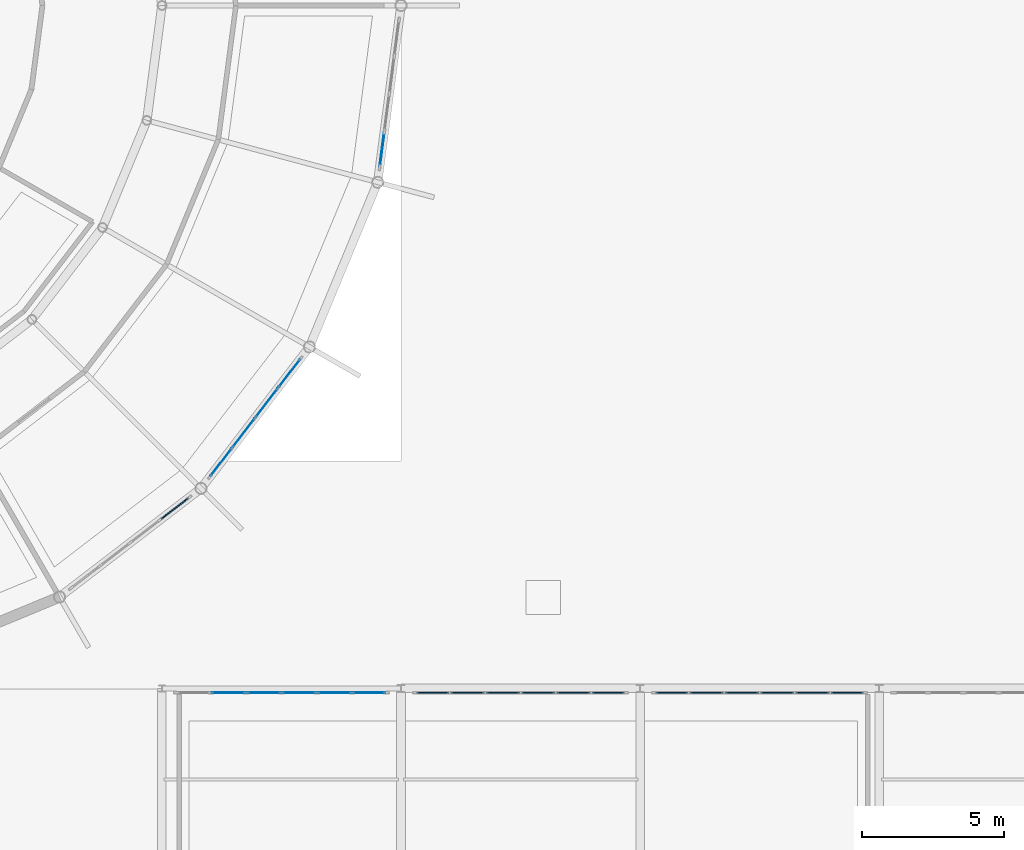
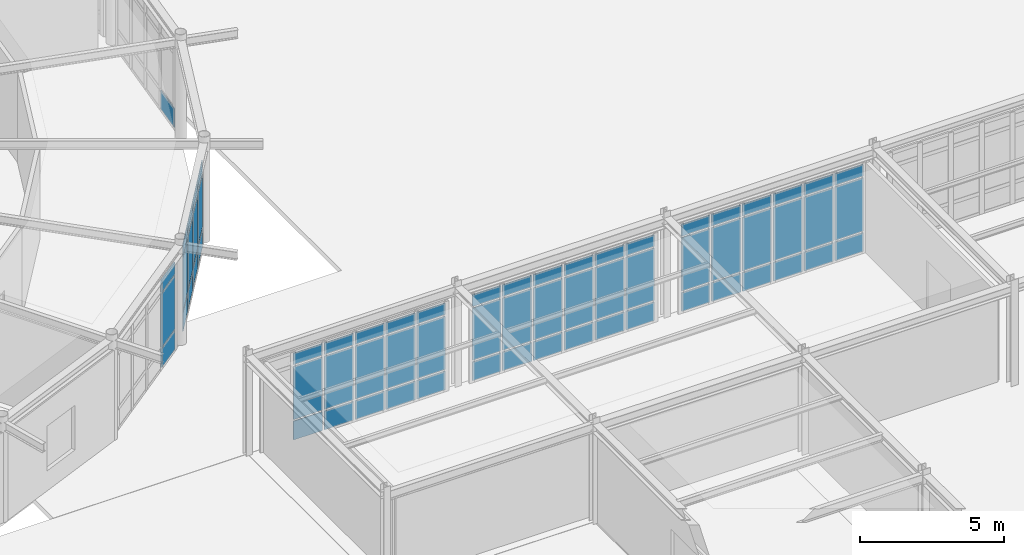
# One storey, part 64 of 101: 67 plates, 6 elements without a shape of their own.
"""IFC4 building model written with IfcOpenShell, lengths in metres."""

from ifc_helpers import new_model, si_unit, derived_unit, direction, frame, origin, origin_2d, place, context, subcontext, project, spatial, rectangle, extrude, material, layer, layer_set, type_object, element, aggregate, save


model = new_model("IFC4")

# Units and contexts
model_context = context("Model", 3, precision=1e-05, world=origin(), true_north=direction((0.0, 1.0)))
body_context = subcontext(model_context, "Body", "Model", "MODEL_VIEW")
ifc_project = project(units=[si_unit("LENGTHUNIT", "METRE"), si_unit("AREAUNIT", "SQUARE_METRE"), si_unit("VOLUMEUNIT", "CUBIC_METRE"), si_unit("PLANEANGLEUNIT", "RADIAN"), si_unit("MASSUNIT", "GRAM", prefix="KILO"), derived_unit("THERMALTRANSMITTANCEUNIT", [(si_unit("POWERUNIT", "WATT"), 1), (si_unit("AREAUNIT", "SQUARE_METRE"), -1), (si_unit("THERMODYNAMICTEMPERATUREUNIT", "KELVIN"), -1)])], contexts=[model_context])

# Site, building, storey
site_placement = place(None, origin())
site = spatial("IfcSite", under=ifc_project, at=site_placement, CompositionType="ELEMENT")
building_placement = place(site_placement, origin())
building = spatial("IfcBuilding", under=site, at=building_placement, Name="Yasenodar Specialist Clinic", CompositionType="ELEMENT")
storey_placement = place(building_placement, origin())
storey = spatial("IfcBuildingStorey", under=building, at=storey_placement, Name="L00", CompositionType="ELEMENT", Elevation=0.0)

# Curtain wall, plates
ifc_material_1 = material(Name="Bronze Anodized Aluminium and Triple Low-E Glass", Category="aluminium")
ifc_layer_1 = layer(ifc_material_1, 0.1669921875)
ifc_layer_set_1 = layer_set([ifc_layer_1], Name="Bronze Anodized Aluminium and Triple Low-E Glass")
curtain_wall_type_1 = type_object("IfcCurtainWallType", Name="CW-SYS-01", PredefinedType="USERDEFINED", material=ifc_layer_set_1)
curtain_wall_1_placement = place(storey_placement, origin())
curtain_wall_1 = element("IfcCurtainWall", 1, at=curtain_wall_1_placement, inside=storey, type_object=curtain_wall_type_1, Name="L00 Unitised Curtain Wall 012", ObjectType="UNITISED CURTAIN WALL", PredefinedType="USERDEFINED")
ifc_material_2 = material(Name="Triple Low-E Argon Glazing", Category="glass")
ifc_layer_2 = layer(ifc_material_2, 0.028076171875)
ifc_layer_set_2 = layer_set([ifc_layer_2], Name="Triple Low-E Argon Glazing")
plate_type_1 = type_object("IfcPlateType", Name="CW-PAN-1", PredefinedType="CURTAIN_PANEL", material=ifc_layer_set_2)
plate_1_placement = place(storey_placement, frame((101.078125, 45.879150390625, 0.070068359375), z_axis=(0.0, 0.0, 1.0), x_axis=(-0.608752021844, -0.793360558574, 0.0)))
plate_1 = element("IfcPlate", 2, at=plate_1_placement, type_object=plate_type_1, Name="CW-01 panel 1.1", PredefinedType="CURTAIN_PANEL", context=body_context, shape_type="SweptSolid", body=[
    extrude(rectangle(XDim=1.221435546875, YDim=0.028076171875, at=origin_2d()), origin(), (0.0, 0.0, 1.0), 0.794921875),
])
plate_2_placement = place(storey_placement, frame((101.078125, 45.879150390625, 0.93505859375), z_axis=(0.0, 0.0, 1.0), x_axis=(-0.608752021844, -0.793360558574, 0.0)))
plate_2 = element("IfcPlate", 3, at=plate_2_placement, type_object=plate_type_1, Name="CW-01 panel 1.2", PredefinedType="CURTAIN_PANEL", context=body_context, shape_type="SweptSolid", body=[
    extrude(rectangle(XDim=1.221435546875, YDim=0.028076171875, at=origin_2d()), origin(), (0.0, 0.0, 1.0), 2.26806640625),
])
plate_3_placement = place(storey_placement, frame((101.078125, 45.879150390625, 3.27294921875), z_axis=(0.0, 0.0, 1.0), x_axis=(-0.608752021844, -0.793360558574, 0.0)))
plate_3 = element("IfcPlate", 4, at=plate_3_placement, type_object=plate_type_1, Name="CW-01 panel 1.3", PredefinedType="CURTAIN_PANEL", context=body_context, shape_type="SweptSolid", body=[
    extrude(rectangle(XDim=1.221435546875, YDim=0.028076171875, at=origin_2d()), origin(), (0.0, 0.0, 1.0), 0.4951171875),
])
plate_4_placement = place(storey_placement, frame((100.28125, 44.8408203125, 0.070068359375), z_axis=(0.0, 0.0, 1.0), x_axis=(-0.608752021844, -0.793360558574, 0.0)))
plate_4 = element("IfcPlate", 5, at=plate_4_placement, type_object=plate_type_1, Name="CW-01 panel 2.1", PredefinedType="CURTAIN_PANEL", context=body_context, shape_type="SweptSolid", body=[
    extrude(rectangle(XDim=1.25634765625, YDim=0.028076171875, at=origin_2d()), origin(), (0.0, 0.0, 1.0), 0.794921875),
])
plate_5_placement = place(storey_placement, frame((100.28125, 44.8408203125, 0.93505859375), z_axis=(0.0, 0.0, 1.0), x_axis=(-0.608752021844, -0.793360558574, 0.0)))
plate_5 = element("IfcPlate", 6, at=plate_5_placement, type_object=plate_type_1, Name="CW-01 panel 2.2", PredefinedType="CURTAIN_PANEL", context=body_context, shape_type="SweptSolid", body=[
    extrude(rectangle(XDim=1.25634765625, YDim=0.028076171875, at=origin_2d()), origin(), (0.0, 0.0, 1.0), 2.26806640625),
])
plate_6_placement = place(storey_placement, frame((100.28125, 44.8408203125, 3.27294921875), z_axis=(0.0, 0.0, 1.0), x_axis=(-0.608752021844, -0.793360558574, 0.0)))
plate_6 = element("IfcPlate", 7, at=plate_6_placement, type_object=plate_type_1, Name="CW-01 panel 2.3", PredefinedType="CURTAIN_PANEL", context=body_context, shape_type="SweptSolid", body=[
    extrude(rectangle(XDim=1.25634765625, YDim=0.028076171875, at=origin_2d()), origin(), (0.0, 0.0, 1.0), 0.4951171875),
])
plate_7_placement = place(storey_placement, frame((99.473876953125, 43.78857421875, 0.070068359375), z_axis=(0.0, 0.0, 1.0), x_axis=(-0.608752021844, -0.793360558574, 0.0)))
plate_7 = element("IfcPlate", 8, at=plate_7_placement, type_object=plate_type_1, Name="CW-01 panel 3.1", PredefinedType="CURTAIN_PANEL", context=body_context, shape_type="SweptSolid", body=[
    extrude(rectangle(XDim=1.25634765625, YDim=0.028076171875, at=origin_2d()), origin(), (0.0, 0.0, 1.0), 0.794921875),
])
plate_8_placement = place(storey_placement, frame((99.473876953125, 43.78857421875, 0.93505859375), z_axis=(0.0, 0.0, 1.0), x_axis=(-0.608752021844, -0.793360558574, 0.0)))
plate_8 = element("IfcPlate", 9, at=plate_8_placement, type_object=plate_type_1, Name="CW-01 panel 3.2", PredefinedType="CURTAIN_PANEL", context=body_context, shape_type="SweptSolid", body=[
    extrude(rectangle(XDim=1.25634765625, YDim=0.028076171875, at=origin_2d()), origin(), (0.0, 0.0, 1.0), 2.26806640625),
])
plate_9_placement = place(storey_placement, frame((99.473876953125, 43.78857421875, 3.27294921875), z_axis=(0.0, 0.0, 1.0), x_axis=(-0.608752021844, -0.793360558574, 0.0)))
plate_9 = element("IfcPlate", 10, at=plate_9_placement, type_object=plate_type_1, Name="CW-01 panel 3.3", PredefinedType="CURTAIN_PANEL", context=body_context, shape_type="SweptSolid", body=[
    extrude(rectangle(XDim=1.25634765625, YDim=0.028076171875, at=origin_2d()), origin(), (0.0, 0.0, 1.0), 0.4951171875),
])
plate_10_placement = place(storey_placement, frame((98.67724609375, 42.750244140625, 0.070068359375), z_axis=(0.0, 0.0, 1.0), x_axis=(-0.608752021844, -0.793360558574, 0.0)))
plate_10 = element("IfcPlate", 11, at=plate_10_placement, type_object=plate_type_1, Name="CW-01 panel 4.1", PredefinedType="CURTAIN_PANEL", context=body_context, shape_type="SweptSolid", body=[
    extrude(rectangle(XDim=1.221435546875, YDim=0.028076171875, at=origin_2d()), origin(), (0.0, 0.0, 1.0), 0.794921875),
])
plate_11_placement = place(storey_placement, frame((98.67724609375, 42.750244140625, 0.93505859375), z_axis=(0.0, 0.0, 1.0), x_axis=(-0.608752021844, -0.793360558574, 0.0)))
plate_11 = element("IfcPlate", 12, at=plate_11_placement, type_object=plate_type_1, Name="CW-01 panel 4.2", PredefinedType="CURTAIN_PANEL", context=body_context, shape_type="SweptSolid", body=[
    extrude(rectangle(XDim=1.221435546875, YDim=0.028076171875, at=origin_2d()), origin(), (0.0, 0.0, 1.0), 2.26806640625),
])
plate_12_placement = place(storey_placement, frame((98.67724609375, 42.750244140625, 3.27294921875), z_axis=(0.0, 0.0, 1.0), x_axis=(-0.608752021844, -0.793360558574, 0.0)))
plate_12 = element("IfcPlate", 13, at=plate_12_placement, type_object=plate_type_1, Name="CW-01 panel 4.3", PredefinedType="CURTAIN_PANEL", context=body_context, shape_type="SweptSolid", body=[
    extrude(rectangle(XDim=1.221435546875, YDim=0.028076171875, at=origin_2d()), origin(), (0.0, 0.0, 1.0), 0.4951171875),
])
aggregate(curtain_wall_1, [plate_1, plate_2, plate_3, plate_4, plate_5, plate_6, plate_7, plate_8, plate_9, plate_10, plate_11, plate_12])

# Curtain wall, plate
curtain_wall_2_placement = place(storey_placement, origin())
curtain_wall_2 = element("IfcCurtainWall", 14, at=curtain_wall_2_placement, inside=storey, type_object=curtain_wall_type_1, Name="L00 Unitised Curtain Wall 013", ObjectType="UNITISED CURTAIN WALL", PredefinedType="USERDEFINED")
ifc_layer_3 = layer(ifc_material_2, 0.033935546875)
ifc_layer_set_3 = layer_set([ifc_layer_3], Name="Triple Low-E Argon Glazing")
plate_type_2 = type_object("IfcPlateType", Name="CW-PAN-2", PredefinedType="CURTAIN_PANEL", material=ifc_layer_set_3)
plate_13_placement = place(storey_placement, frame((104.333740234375, 53.739013671875, 0.070068359375), z_axis=(0.0, 0.0, 1.0), x_axis=(-0.13051156024, -0.991446787601, 0.0)))
plate_13 = element("IfcPlate", 15, at=plate_13_placement, type_object=plate_type_2, Name="CW-01 panel 4.1", PredefinedType="CURTAIN_PANEL", context=body_context, shape_type="SweptSolid", body=[
    extrude(rectangle(XDim=1.221435546875, YDim=0.033935546875, at=origin_2d()), origin(), (0.0, 0.0, 1.0), 0.794921875),
])
aggregate(curtain_wall_2, [plate_13])

# Curtain wall, plates
ifc_layer_4 = layer(ifc_material_1, 0.178955078125)
ifc_layer_set_4 = layer_set([ifc_layer_4], Name="Bronze Anodized Aluminium and Triple Low-E Glass")
curtain_wall_type_2 = type_object("IfcCurtainWallType", Name="CW-SYS-02", PredefinedType="USERDEFINED", material=ifc_layer_set_4)
curtain_wall_3_placement = place(storey_placement, origin())
curtain_wall_3 = element("IfcCurtainWall", 16, at=curtain_wall_3_placement, inside=storey, type_object=curtain_wall_type_2, Name="L00 Unitised Curtain Wall 081", ObjectType="UNITISED CURTAIN WALL", PredefinedType="USERDEFINED")
plate_14_placement = place(storey_placement, frame((98.93994140625, 34.64990234375, 0.070068359375), z_axis=(0.0, 0.0, 1.0), x_axis=(1.0, 0.0, 0.0)))
plate_14 = element("IfcPlate", 17, at=plate_14_placement, type_object=plate_type_2, Name="CW-02 panel 2.1", PredefinedType="CURTAIN_PANEL", context=body_context, shape_type="SweptSolid", body=[
    extrude(rectangle(XDim=1.169921875, YDim=0.033935546875, at=origin_2d()), origin(), (0.0, 0.0, 1.0), 0.794921875),
])
plate_15_placement = place(storey_placement, frame((98.93994140625, 34.64990234375, 0.93505859375), z_axis=(0.0, 0.0, 1.0), x_axis=(1.0, 0.0, 0.0)))
plate_15 = element("IfcPlate", 18, at=plate_15_placement, type_object=plate_type_2, Name="CW-02 panel 2.2", PredefinedType="CURTAIN_PANEL", context=body_context, shape_type="SweptSolid", body=[
    extrude(rectangle(XDim=1.169921875, YDim=0.033935546875, at=origin_2d()), origin(), (0.0, 0.0, 1.0), 2.258056640625),
])
plate_16_placement = place(storey_placement, frame((98.93994140625, 34.64990234375, 3.262939453125), z_axis=(0.0, 0.0, 1.0), x_axis=(1.0, 0.0, 0.0)))
plate_16 = element("IfcPlate", 19, at=plate_16_placement, type_object=plate_type_2, Name="CW-02 panel 2.3", PredefinedType="CURTAIN_PANEL", context=body_context, shape_type="SweptSolid", body=[
    extrude(rectangle(XDim=1.169921875, YDim=0.033935546875, at=origin_2d()), origin(), (0.0, 0.0, 1.0), 0.4951171875),
])
plate_17_placement = place(storey_placement, frame((100.179931640625, 34.64990234375, 0.070068359375), z_axis=(0.0, 0.0, 1.0), x_axis=(1.0, 0.0, 0.0)))
plate_17 = element("IfcPlate", 20, at=plate_17_placement, type_object=plate_type_2, Name="CW-02 panel 3.1", PredefinedType="CURTAIN_PANEL", context=body_context, shape_type="SweptSolid", body=[
    extrude(rectangle(XDim=1.169921875, YDim=0.033935546875, at=origin_2d()), origin(), (0.0, 0.0, 1.0), 0.794921875),
])
plate_18_placement = place(storey_placement, frame((100.179931640625, 34.64990234375, 0.93505859375), z_axis=(0.0, 0.0, 1.0), x_axis=(1.0, 0.0, 0.0)))
plate_18 = element("IfcPlate", 21, at=plate_18_placement, type_object=plate_type_2, Name="CW-02 panel 3.2", PredefinedType="CURTAIN_PANEL", context=body_context, shape_type="SweptSolid", body=[
    extrude(rectangle(XDim=1.169921875, YDim=0.033935546875, at=origin_2d()), origin(), (0.0, 0.0, 1.0), 2.258056640625),
])
plate_19_placement = place(storey_placement, frame((100.179931640625, 34.64990234375, 3.262939453125), z_axis=(0.0, 0.0, 1.0), x_axis=(1.0, 0.0, 0.0)))
plate_19 = element("IfcPlate", 22, at=plate_19_placement, type_object=plate_type_2, Name="CW-02 panel 3.3", PredefinedType="CURTAIN_PANEL", context=body_context, shape_type="SweptSolid", body=[
    extrude(rectangle(XDim=1.169921875, YDim=0.033935546875, at=origin_2d()), origin(), (0.0, 0.0, 1.0), 0.4951171875),
])
plate_20_placement = place(storey_placement, frame((101.419921875, 34.64990234375, 0.070068359375), z_axis=(0.0, 0.0, 1.0), x_axis=(1.0, 0.0, 0.0)))
plate_20 = element("IfcPlate", 23, at=plate_20_placement, type_object=plate_type_2, Name="CW-02 panel 4.1", PredefinedType="CURTAIN_PANEL", context=body_context, shape_type="SweptSolid", body=[
    extrude(rectangle(XDim=1.169921875, YDim=0.033935546875, at=origin_2d()), origin(), (0.0, 0.0, 1.0), 0.794921875),
])
plate_21_placement = place(storey_placement, frame((101.419921875, 34.64990234375, 0.93505859375), z_axis=(0.0, 0.0, 1.0), x_axis=(1.0, 0.0, 0.0)))
plate_21 = element("IfcPlate", 24, at=plate_21_placement, type_object=plate_type_2, Name="CW-02 panel 4.2", PredefinedType="CURTAIN_PANEL", context=body_context, shape_type="SweptSolid", body=[
    extrude(rectangle(XDim=1.169921875, YDim=0.033935546875, at=origin_2d()), origin(), (0.0, 0.0, 1.0), 2.258056640625),
])
plate_22_placement = place(storey_placement, frame((101.419921875, 34.64990234375, 3.262939453125), z_axis=(0.0, 0.0, 1.0), x_axis=(1.0, 0.0, 0.0)))
plate_22 = element("IfcPlate", 25, at=plate_22_placement, type_object=plate_type_2, Name="CW-02 panel 4.3", PredefinedType="CURTAIN_PANEL", context=body_context, shape_type="SweptSolid", body=[
    extrude(rectangle(XDim=1.169921875, YDim=0.033935546875, at=origin_2d()), origin(), (0.0, 0.0, 1.0), 0.4951171875),
])
plate_23_placement = place(storey_placement, frame((102.659912109375, 34.64990234375, 0.070068359375), z_axis=(0.0, 0.0, 1.0), x_axis=(1.0, 0.0, 0.0)))
plate_23 = element("IfcPlate", 26, at=plate_23_placement, type_object=plate_type_2, Name="CW-02 panel 5.1", PredefinedType="CURTAIN_PANEL", context=body_context, shape_type="SweptSolid", body=[
    extrude(rectangle(XDim=1.169921875, YDim=0.033935546875, at=origin_2d()), origin(), (0.0, 0.0, 1.0), 0.794921875),
])
plate_24_placement = place(storey_placement, frame((102.659912109375, 34.64990234375, 0.93505859375), z_axis=(0.0, 0.0, 1.0), x_axis=(1.0, 0.0, 0.0)))
plate_24 = element("IfcPlate", 27, at=plate_24_placement, type_object=plate_type_2, Name="CW-02 panel 5.2", PredefinedType="CURTAIN_PANEL", context=body_context, shape_type="SweptSolid", body=[
    extrude(rectangle(XDim=1.169921875, YDim=0.033935546875, at=origin_2d()), origin(), (0.0, 0.0, 1.0), 2.258056640625),
])
plate_25_placement = place(storey_placement, frame((102.659912109375, 34.64990234375, 3.262939453125), z_axis=(0.0, 0.0, 1.0), x_axis=(1.0, 0.0, 0.0)))
plate_25 = element("IfcPlate", 28, at=plate_25_placement, type_object=plate_type_2, Name="CW-02 panel 5.3", PredefinedType="CURTAIN_PANEL", context=body_context, shape_type="SweptSolid", body=[
    extrude(rectangle(XDim=1.169921875, YDim=0.033935546875, at=origin_2d()), origin(), (0.0, 0.0, 1.0), 0.4951171875),
])
plate_26_placement = place(storey_placement, frame((103.882568359375, 34.64990234375, 0.070068359375), z_axis=(0.0, 0.0, 1.0), x_axis=(1.0, 0.0, 0.0)))
plate_26 = element("IfcPlate", 29, at=plate_26_placement, type_object=plate_type_2, Name="CW-02 panel 6.1", PredefinedType="CURTAIN_PANEL", context=body_context, shape_type="SweptSolid", body=[
    extrude(rectangle(XDim=1.135009765625, YDim=0.033935546875, at=origin_2d()), origin(), (0.0, 0.0, 1.0), 0.794921875),
])
plate_27_placement = place(storey_placement, frame((103.882568359375, 34.64990234375, 0.93505859375), z_axis=(0.0, 0.0, 1.0), x_axis=(1.0, 0.0, 0.0)))
plate_27 = element("IfcPlate", 30, at=plate_27_placement, type_object=plate_type_2, Name="CW-02 panel 6.2", PredefinedType="CURTAIN_PANEL", context=body_context, shape_type="SweptSolid", body=[
    extrude(rectangle(XDim=1.135009765625, YDim=0.033935546875, at=origin_2d()), origin(), (0.0, 0.0, 1.0), 2.258056640625),
])
plate_28_placement = place(storey_placement, frame((103.882568359375, 34.64990234375, 3.262939453125), z_axis=(0.0, 0.0, 1.0), x_axis=(1.0, 0.0, 0.0)))
plate_28 = element("IfcPlate", 31, at=plate_28_placement, type_object=plate_type_2, Name="CW-02 panel 6.3", PredefinedType="CURTAIN_PANEL", context=body_context, shape_type="SweptSolid", body=[
    extrude(rectangle(XDim=1.135009765625, YDim=0.033935546875, at=origin_2d()), origin(), (0.0, 0.0, 1.0), 0.4951171875),
])
aggregate(curtain_wall_3, [plate_14, plate_15, plate_16, plate_17, plate_18, plate_19, plate_20, plate_21, plate_22, plate_23, plate_24, plate_25, plate_26, plate_27, plate_28])

curtain_wall_4_placement = place(storey_placement, origin())
curtain_wall_4 = element("IfcCurtainWall", 32, at=curtain_wall_4_placement, inside=storey, type_object=curtain_wall_type_2, Name="L00 Unitised Curtain Wall 082", ObjectType="UNITISED CURTAIN WALL", PredefinedType="USERDEFINED")
ifc_layer_5 = layer(ifc_material_2, 0.0400390625)
ifc_layer_set_5 = layer_set([ifc_layer_5], Name="Triple Low-E Argon Glazing")
plate_type_3 = type_object("IfcPlateType", Name="CW-PAN-3", PredefinedType="CURTAIN_PANEL", material=ifc_layer_set_5)
plate_29_placement = place(storey_placement, frame((106.117431640625, 34.64990234375, 0.070068359375), z_axis=(0.0, 0.0, 1.0), x_axis=(1.0, 0.0, 0.0)))
plate_29 = element("IfcPlate", 33, at=plate_29_placement, type_object=plate_type_3, Name="CW-02 panel 1.1", PredefinedType="CURTAIN_PANEL", context=body_context, shape_type="SweptSolid", body=[
    extrude(rectangle(XDim=1.135009765625, YDim=0.0400390625, at=origin_2d()), origin(), (0.0, 0.0, 1.0), 0.794921875),
])
plate_30_placement = place(storey_placement, frame((106.117431640625, 34.64990234375, 0.93505859375), z_axis=(0.0, 0.0, 1.0), x_axis=(1.0, 0.0, 0.0)))
plate_30 = element("IfcPlate", 34, at=plate_30_placement, type_object=plate_type_3, Name="CW-02 panel 1.2", PredefinedType="CURTAIN_PANEL", context=body_context, shape_type="SweptSolid", body=[
    extrude(rectangle(XDim=1.135009765625, YDim=0.0400390625, at=origin_2d()), origin(), (0.0, 0.0, 1.0), 2.218017578125),
])
plate_31_placement = place(storey_placement, frame((106.117431640625, 34.64990234375, 3.222900390625), z_axis=(0.0, 0.0, 1.0), x_axis=(1.0, 0.0, 0.0)))
plate_31 = element("IfcPlate", 35, at=plate_31_placement, type_object=plate_type_3, Name="CW-02 panel 1.3", PredefinedType="CURTAIN_PANEL", context=body_context, shape_type="SweptSolid", body=[
    extrude(rectangle(XDim=1.135009765625, YDim=0.0400390625, at=origin_2d()), origin(), (0.0, 0.0, 1.0), 0.4951171875),
])
plate_32_placement = place(storey_placement, frame((107.340087890625, 34.64990234375, 0.070068359375), z_axis=(0.0, 0.0, 1.0), x_axis=(1.0, 0.0, 0.0)))
plate_32 = element("IfcPlate", 36, at=plate_32_placement, type_object=plate_type_3, Name="CW-02 panel 2.1", PredefinedType="CURTAIN_PANEL", context=body_context, shape_type="SweptSolid", body=[
    extrude(rectangle(XDim=1.169921875, YDim=0.0400390625, at=origin_2d()), origin(), (0.0, 0.0, 1.0), 0.794921875),
])
plate_33_placement = place(storey_placement, frame((107.340087890625, 34.64990234375, 0.93505859375), z_axis=(0.0, 0.0, 1.0), x_axis=(1.0, 0.0, 0.0)))
plate_33 = element("IfcPlate", 37, at=plate_33_placement, type_object=plate_type_3, Name="CW-02 panel 2.2", PredefinedType="CURTAIN_PANEL", context=body_context, shape_type="SweptSolid", body=[
    extrude(rectangle(XDim=1.169921875, YDim=0.0400390625, at=origin_2d()), origin(), (0.0, 0.0, 1.0), 2.218017578125),
])
plate_34_placement = place(storey_placement, frame((107.340087890625, 34.64990234375, 3.222900390625), z_axis=(0.0, 0.0, 1.0), x_axis=(1.0, 0.0, 0.0)))
plate_34 = element("IfcPlate", 38, at=plate_34_placement, type_object=plate_type_3, Name="CW-02 panel 2.3", PredefinedType="CURTAIN_PANEL", context=body_context, shape_type="SweptSolid", body=[
    extrude(rectangle(XDim=1.169921875, YDim=0.0400390625, at=origin_2d()), origin(), (0.0, 0.0, 1.0), 0.4951171875),
])
plate_35_placement = place(storey_placement, frame((108.580078125, 34.64990234375, 0.070068359375), z_axis=(0.0, 0.0, 1.0), x_axis=(1.0, 0.0, 0.0)))
plate_35 = element("IfcPlate", 39, at=plate_35_placement, type_object=plate_type_3, Name="CW-02 panel 3.1", PredefinedType="CURTAIN_PANEL", context=body_context, shape_type="SweptSolid", body=[
    extrude(rectangle(XDim=1.169921875, YDim=0.0400390625, at=origin_2d()), origin(), (0.0, 0.0, 1.0), 0.794921875),
])
plate_36_placement = place(storey_placement, frame((108.580078125, 34.64990234375, 0.93505859375), z_axis=(0.0, 0.0, 1.0), x_axis=(1.0, 0.0, 0.0)))
plate_36 = element("IfcPlate", 40, at=plate_36_placement, type_object=plate_type_3, Name="CW-02 panel 3.2", PredefinedType="CURTAIN_PANEL", context=body_context, shape_type="SweptSolid", body=[
    extrude(rectangle(XDim=1.169921875, YDim=0.0400390625, at=origin_2d()), origin(), (0.0, 0.0, 1.0), 2.218017578125),
])
plate_37_placement = place(storey_placement, frame((108.580078125, 34.64990234375, 3.222900390625), z_axis=(0.0, 0.0, 1.0), x_axis=(1.0, 0.0, 0.0)))
plate_37 = element("IfcPlate", 41, at=plate_37_placement, type_object=plate_type_3, Name="CW-02 panel 3.3", PredefinedType="CURTAIN_PANEL", context=body_context, shape_type="SweptSolid", body=[
    extrude(rectangle(XDim=1.169921875, YDim=0.0400390625, at=origin_2d()), origin(), (0.0, 0.0, 1.0), 0.4951171875),
])
plate_38_placement = place(storey_placement, frame((109.820068359375, 34.64990234375, 0.070068359375), z_axis=(0.0, 0.0, 1.0), x_axis=(1.0, 0.0, 0.0)))
plate_38 = element("IfcPlate", 42, at=plate_38_placement, type_object=plate_type_3, Name="CW-02 panel 4.1", PredefinedType="CURTAIN_PANEL", context=body_context, shape_type="SweptSolid", body=[
    extrude(rectangle(XDim=1.169921875, YDim=0.0400390625, at=origin_2d()), origin(), (0.0, 0.0, 1.0), 0.794921875),
])
plate_39_placement = place(storey_placement, frame((109.820068359375, 34.64990234375, 0.93505859375), z_axis=(0.0, 0.0, 1.0), x_axis=(1.0, 0.0, 0.0)))
plate_39 = element("IfcPlate", 43, at=plate_39_placement, type_object=plate_type_3, Name="CW-02 panel 4.2", PredefinedType="CURTAIN_PANEL", context=body_context, shape_type="SweptSolid", body=[
    extrude(rectangle(XDim=1.169921875, YDim=0.0400390625, at=origin_2d()), origin(), (0.0, 0.0, 1.0), 2.218017578125),
])
plate_40_placement = place(storey_placement, frame((109.820068359375, 34.64990234375, 3.222900390625), z_axis=(0.0, 0.0, 1.0), x_axis=(1.0, 0.0, 0.0)))
plate_40 = element("IfcPlate", 44, at=plate_40_placement, type_object=plate_type_3, Name="CW-02 panel 4.3", PredefinedType="CURTAIN_PANEL", context=body_context, shape_type="SweptSolid", body=[
    extrude(rectangle(XDim=1.169921875, YDim=0.0400390625, at=origin_2d()), origin(), (0.0, 0.0, 1.0), 0.4951171875),
])
plate_41_placement = place(storey_placement, frame((111.06005859375, 34.64990234375, 0.070068359375), z_axis=(0.0, 0.0, 1.0), x_axis=(1.0, 0.0, 0.0)))
plate_41 = element("IfcPlate", 45, at=plate_41_placement, type_object=plate_type_3, Name="CW-02 panel 5.1", PredefinedType="CURTAIN_PANEL", context=body_context, shape_type="SweptSolid", body=[
    extrude(rectangle(XDim=1.169921875, YDim=0.0400390625, at=origin_2d()), origin(), (0.0, 0.0, 1.0), 0.794921875),
])
plate_42_placement = place(storey_placement, frame((111.06005859375, 34.64990234375, 0.93505859375), z_axis=(0.0, 0.0, 1.0), x_axis=(1.0, 0.0, 0.0)))
plate_42 = element("IfcPlate", 46, at=plate_42_placement, type_object=plate_type_3, Name="CW-02 panel 5.2", PredefinedType="CURTAIN_PANEL", context=body_context, shape_type="SweptSolid", body=[
    extrude(rectangle(XDim=1.169921875, YDim=0.0400390625, at=origin_2d()), origin(), (0.0, 0.0, 1.0), 2.218017578125),
])
plate_43_placement = place(storey_placement, frame((111.06005859375, 34.64990234375, 3.222900390625), z_axis=(0.0, 0.0, 1.0), x_axis=(1.0, 0.0, 0.0)))
plate_43 = element("IfcPlate", 47, at=plate_43_placement, type_object=plate_type_3, Name="CW-02 panel 5.3", PredefinedType="CURTAIN_PANEL", context=body_context, shape_type="SweptSolid", body=[
    extrude(rectangle(XDim=1.169921875, YDim=0.0400390625, at=origin_2d()), origin(), (0.0, 0.0, 1.0), 0.4951171875),
])
plate_44_placement = place(storey_placement, frame((112.282470703125, 34.64990234375, 0.070068359375), z_axis=(0.0, 0.0, 1.0), x_axis=(1.0, 0.0, 0.0)))
plate_44 = element("IfcPlate", 48, at=plate_44_placement, type_object=plate_type_3, Name="CW-02 panel 6.1", PredefinedType="CURTAIN_PANEL", context=body_context, shape_type="SweptSolid", body=[
    extrude(rectangle(XDim=1.135009765625, YDim=0.0400390625, at=origin_2d()), origin(), (0.0, 0.0, 1.0), 0.794921875),
])
plate_45_placement = place(storey_placement, frame((112.282470703125, 34.64990234375, 0.93505859375), z_axis=(0.0, 0.0, 1.0), x_axis=(1.0, 0.0, 0.0)))
plate_45 = element("IfcPlate", 49, at=plate_45_placement, type_object=plate_type_3, Name="CW-02 panel 6.2", PredefinedType="CURTAIN_PANEL", context=body_context, shape_type="SweptSolid", body=[
    extrude(rectangle(XDim=1.135009765625, YDim=0.0400390625, at=origin_2d()), origin(), (0.0, 0.0, 1.0), 2.218017578125),
])
plate_46_placement = place(storey_placement, frame((112.282470703125, 34.64990234375, 3.222900390625), z_axis=(0.0, 0.0, 1.0), x_axis=(1.0, 0.0, 0.0)))
plate_46 = element("IfcPlate", 50, at=plate_46_placement, type_object=plate_type_3, Name="CW-02 panel 6.3", PredefinedType="CURTAIN_PANEL", context=body_context, shape_type="SweptSolid", body=[
    extrude(rectangle(XDim=1.135009765625, YDim=0.0400390625, at=origin_2d()), origin(), (0.0, 0.0, 1.0), 0.4951171875),
])
aggregate(curtain_wall_4, [plate_29, plate_30, plate_31, plate_32, plate_33, plate_34, plate_35, plate_36, plate_37, plate_38, plate_39, plate_40, plate_41, plate_42, plate_43, plate_44, plate_45, plate_46])

curtain_wall_5_placement = place(storey_placement, origin())
curtain_wall_5 = element("IfcCurtainWall", 51, at=curtain_wall_5_placement, inside=storey, type_object=curtain_wall_type_1, Name="L00 Unitised Curtain Wall 011", ObjectType="UNITISED CURTAIN WALL", PredefinedType="USERDEFINED")
ifc_layer_6 = layer(ifc_material_2, 0.0458984375)
ifc_layer_set_6 = layer_set([ifc_layer_6], Name="Triple Low-E Argon Glazing")
plate_type_4 = type_object("IfcPlateType", Name="CW-PAN-4", PredefinedType="CURTAIN_PANEL", material=ifc_layer_set_6)
plate_47_placement = place(storey_placement, frame((97.0498046875, 41.122802734375, 0.070068359375), z_axis=(0.0, 0.0, 1.0), x_axis=(-0.793360558574, -0.608752021844, 0.0)))
plate_47 = element("IfcPlate", 52, at=plate_47_placement, type_object=plate_type_4, Name="CW-01 panel 1.1", PredefinedType="CURTAIN_PANEL", context=body_context, shape_type="SweptSolid", body=[
    extrude(rectangle(XDim=1.221435546875, YDim=0.0458984375, at=origin_2d()), origin(), (0.0, 0.0, 1.0), 0.794921875),
])
plate_48_placement = place(storey_placement, frame((97.0498046875, 41.122802734375, 0.93505859375), z_axis=(0.0, 0.0, 1.0), x_axis=(-0.793360558574, -0.608752021844, 0.0)))
plate_48 = element("IfcPlate", 53, at=plate_48_placement, type_object=plate_type_4, Name="CW-01 panel 1.2", PredefinedType="CURTAIN_PANEL", context=body_context, shape_type="SweptSolid", body=[
    extrude(rectangle(XDim=1.221435546875, YDim=0.0458984375, at=origin_2d()), origin(), (0.0, 0.0, 1.0), 2.26806640625),
])
plate_49_placement = place(storey_placement, frame((97.0498046875, 41.122802734375, 3.27294921875), z_axis=(0.0, 0.0, 1.0), x_axis=(-0.793360558574, -0.608752021844, 0.0)))
plate_49 = element("IfcPlate", 54, at=plate_49_placement, type_object=plate_type_4, Name="CW-01 panel 1.3", PredefinedType="CURTAIN_PANEL", context=body_context, shape_type="SweptSolid", body=[
    extrude(rectangle(XDim=1.221435546875, YDim=0.0458984375, at=origin_2d()), origin(), (0.0, 0.0, 1.0), 0.4951171875),
])
aggregate(curtain_wall_5, [plate_47, plate_48, plate_49])

curtain_wall_6_placement = place(storey_placement, origin())
curtain_wall_6 = element("IfcCurtainWall", 55, at=curtain_wall_6_placement, inside=storey, type_object=curtain_wall_type_2, Name="L00 Unitised Curtain Wall 083", ObjectType="UNITISED CURTAIN WALL", PredefinedType="USERDEFINED")
plate_50_placement = place(storey_placement, frame((114.517578125, 34.64990234375, 0.070068359375), z_axis=(0.0, 0.0, 1.0), x_axis=(1.0, 0.0, 0.0)))
plate_50 = element("IfcPlate", 56, at=plate_50_placement, type_object=plate_type_4, Name="CW-02 panel 1.1", PredefinedType="CURTAIN_PANEL", context=body_context, shape_type="SweptSolid", body=[
    extrude(rectangle(XDim=1.135009765625, YDim=0.0458984375, at=origin_2d()), origin(), (0.0, 0.0, 1.0), 0.794921875),
])
plate_51_placement = place(storey_placement, frame((114.517578125, 34.64990234375, 0.93505859375), z_axis=(0.0, 0.0, 1.0), x_axis=(1.0, 0.0, 0.0)))
plate_51 = element("IfcPlate", 57, at=plate_51_placement, type_object=plate_type_4, Name="CW-02 panel 1.2", PredefinedType="CURTAIN_PANEL", context=body_context, shape_type="SweptSolid", body=[
    extrude(rectangle(XDim=1.135009765625, YDim=0.0458984375, at=origin_2d()), origin(), (0.0, 0.0, 1.0), 2.26806640625),
])
plate_52_placement = place(storey_placement, frame((114.517578125, 34.64990234375, 3.27294921875), z_axis=(0.0, 0.0, 1.0), x_axis=(1.0, 0.0, 0.0)))
plate_52 = element("IfcPlate", 58, at=plate_52_placement, type_object=plate_type_4, Name="CW-02 panel 1.3", PredefinedType="CURTAIN_PANEL", context=body_context, shape_type="SweptSolid", body=[
    extrude(rectangle(XDim=1.135009765625, YDim=0.0458984375, at=origin_2d()), origin(), (0.0, 0.0, 1.0), 0.4951171875),
])
plate_53_placement = place(storey_placement, frame((115.739990234375, 34.64990234375, 0.070068359375), z_axis=(0.0, 0.0, 1.0), x_axis=(1.0, 0.0, 0.0)))
plate_53 = element("IfcPlate", 59, at=plate_53_placement, type_object=plate_type_4, Name="CW-02 panel 2.1", PredefinedType="CURTAIN_PANEL", context=body_context, shape_type="SweptSolid", body=[
    extrude(rectangle(XDim=1.169921875, YDim=0.0458984375, at=origin_2d()), origin(), (0.0, 0.0, 1.0), 0.794921875),
])
plate_54_placement = place(storey_placement, frame((115.739990234375, 34.64990234375, 0.93505859375), z_axis=(0.0, 0.0, 1.0), x_axis=(1.0, 0.0, 0.0)))
plate_54 = element("IfcPlate", 60, at=plate_54_placement, type_object=plate_type_4, Name="CW-02 panel 2.2", PredefinedType="CURTAIN_PANEL", context=body_context, shape_type="SweptSolid", body=[
    extrude(rectangle(XDim=1.169921875, YDim=0.0458984375, at=origin_2d()), origin(), (0.0, 0.0, 1.0), 2.26806640625),
])
plate_55_placement = place(storey_placement, frame((115.739990234375, 34.64990234375, 3.27294921875), z_axis=(0.0, 0.0, 1.0), x_axis=(1.0, 0.0, 0.0)))
plate_55 = element("IfcPlate", 61, at=plate_55_placement, type_object=plate_type_4, Name="CW-02 panel 2.3", PredefinedType="CURTAIN_PANEL", context=body_context, shape_type="SweptSolid", body=[
    extrude(rectangle(XDim=1.169921875, YDim=0.0458984375, at=origin_2d()), origin(), (0.0, 0.0, 1.0), 0.4951171875),
])
plate_56_placement = place(storey_placement, frame((116.97998046875, 34.64990234375, 0.070068359375), z_axis=(0.0, 0.0, 1.0), x_axis=(1.0, 0.0, 0.0)))
plate_56 = element("IfcPlate", 62, at=plate_56_placement, type_object=plate_type_4, Name="CW-02 panel 3.1", PredefinedType="CURTAIN_PANEL", context=body_context, shape_type="SweptSolid", body=[
    extrude(rectangle(XDim=1.169921875, YDim=0.0458984375, at=origin_2d()), origin(), (0.0, 0.0, 1.0), 0.794921875),
])
plate_57_placement = place(storey_placement, frame((116.97998046875, 34.64990234375, 0.93505859375), z_axis=(0.0, 0.0, 1.0), x_axis=(1.0, 0.0, 0.0)))
plate_57 = element("IfcPlate", 63, at=plate_57_placement, type_object=plate_type_4, Name="CW-02 panel 3.2", PredefinedType="CURTAIN_PANEL", context=body_context, shape_type="SweptSolid", body=[
    extrude(rectangle(XDim=1.169921875, YDim=0.0458984375, at=origin_2d()), origin(), (0.0, 0.0, 1.0), 2.26806640625),
])
plate_58_placement = place(storey_placement, frame((116.97998046875, 34.64990234375, 3.27294921875), z_axis=(0.0, 0.0, 1.0), x_axis=(1.0, 0.0, 0.0)))
plate_58 = element("IfcPlate", 64, at=plate_58_placement, type_object=plate_type_4, Name="CW-02 panel 3.3", PredefinedType="CURTAIN_PANEL", context=body_context, shape_type="SweptSolid", body=[
    extrude(rectangle(XDim=1.169921875, YDim=0.0458984375, at=origin_2d()), origin(), (0.0, 0.0, 1.0), 0.4951171875),
])
plate_59_placement = place(storey_placement, frame((118.219970703125, 34.64990234375, 0.070068359375), z_axis=(0.0, 0.0, 1.0), x_axis=(1.0, 0.0, 0.0)))
plate_59 = element("IfcPlate", 65, at=plate_59_placement, type_object=plate_type_4, Name="CW-02 panel 4.1", PredefinedType="CURTAIN_PANEL", context=body_context, shape_type="SweptSolid", body=[
    extrude(rectangle(XDim=1.169921875, YDim=0.0458984375, at=origin_2d()), origin(), (0.0, 0.0, 1.0), 0.794921875),
])
plate_60_placement = place(storey_placement, frame((118.219970703125, 34.64990234375, 0.93505859375), z_axis=(0.0, 0.0, 1.0), x_axis=(1.0, 0.0, 0.0)))
plate_60 = element("IfcPlate", 66, at=plate_60_placement, type_object=plate_type_4, Name="CW-02 panel 4.2", PredefinedType="CURTAIN_PANEL", context=body_context, shape_type="SweptSolid", body=[
    extrude(rectangle(XDim=1.169921875, YDim=0.0458984375, at=origin_2d()), origin(), (0.0, 0.0, 1.0), 2.26806640625),
])
plate_61_placement = place(storey_placement, frame((118.219970703125, 34.64990234375, 3.27294921875), z_axis=(0.0, 0.0, 1.0), x_axis=(1.0, 0.0, 0.0)))
plate_61 = element("IfcPlate", 67, at=plate_61_placement, type_object=plate_type_4, Name="CW-02 panel 4.3", PredefinedType="CURTAIN_PANEL", context=body_context, shape_type="SweptSolid", body=[
    extrude(rectangle(XDim=1.169921875, YDim=0.0458984375, at=origin_2d()), origin(), (0.0, 0.0, 1.0), 0.4951171875),
])
plate_62_placement = place(storey_placement, frame((119.4599609375, 34.64990234375, 0.070068359375), z_axis=(0.0, 0.0, 1.0), x_axis=(1.0, 0.0, 0.0)))
plate_62 = element("IfcPlate", 68, at=plate_62_placement, type_object=plate_type_4, Name="CW-02 panel 5.1", PredefinedType="CURTAIN_PANEL", context=body_context, shape_type="SweptSolid", body=[
    extrude(rectangle(XDim=1.169921875, YDim=0.0458984375, at=origin_2d()), origin(), (0.0, 0.0, 1.0), 0.794921875),
])
plate_63_placement = place(storey_placement, frame((119.4599609375, 34.64990234375, 0.93505859375), z_axis=(0.0, 0.0, 1.0), x_axis=(1.0, 0.0, 0.0)))
plate_63 = element("IfcPlate", 69, at=plate_63_placement, type_object=plate_type_4, Name="CW-02 panel 5.2", PredefinedType="CURTAIN_PANEL", context=body_context, shape_type="SweptSolid", body=[
    extrude(rectangle(XDim=1.169921875, YDim=0.0458984375, at=origin_2d()), origin(), (0.0, 0.0, 1.0), 2.26806640625),
])
plate_64_placement = place(storey_placement, frame((119.4599609375, 34.64990234375, 3.27294921875), z_axis=(0.0, 0.0, 1.0), x_axis=(1.0, 0.0, 0.0)))
plate_64 = element("IfcPlate", 70, at=plate_64_placement, type_object=plate_type_4, Name="CW-02 panel 5.3", PredefinedType="CURTAIN_PANEL", context=body_context, shape_type="SweptSolid", body=[
    extrude(rectangle(XDim=1.169921875, YDim=0.0458984375, at=origin_2d()), origin(), (0.0, 0.0, 1.0), 0.4951171875),
])
plate_65_placement = place(storey_placement, frame((120.6826171875, 34.64990234375, 0.070068359375), z_axis=(0.0, 0.0, 1.0), x_axis=(1.0, 0.0, 0.0)))
plate_65 = element("IfcPlate", 71, at=plate_65_placement, type_object=plate_type_4, Name="CW-02 panel 6.1", PredefinedType="CURTAIN_PANEL", context=body_context, shape_type="SweptSolid", body=[
    extrude(rectangle(XDim=1.135009765625, YDim=0.0458984375, at=origin_2d()), origin(), (0.0, 0.0, 1.0), 0.794921875),
])
plate_66_placement = place(storey_placement, frame((120.6826171875, 34.64990234375, 0.93505859375), z_axis=(0.0, 0.0, 1.0), x_axis=(1.0, 0.0, 0.0)))
plate_66 = element("IfcPlate", 72, at=plate_66_placement, type_object=plate_type_4, Name="CW-02 panel 6.2", PredefinedType="CURTAIN_PANEL", context=body_context, shape_type="SweptSolid", body=[
    extrude(rectangle(XDim=1.135009765625, YDim=0.0458984375, at=origin_2d()), origin(), (0.0, 0.0, 1.0), 2.26806640625),
])
plate_67_placement = place(storey_placement, frame((120.6826171875, 34.64990234375, 3.27294921875), z_axis=(0.0, 0.0, 1.0), x_axis=(1.0, 0.0, 0.0)))
plate_67 = element("IfcPlate", 73, at=plate_67_placement, type_object=plate_type_4, Name="CW-02 panel 6.3", PredefinedType="CURTAIN_PANEL", context=body_context, shape_type="SweptSolid", body=[
    extrude(rectangle(XDim=1.135009765625, YDim=0.0458984375, at=origin_2d()), origin(), (0.0, 0.0, 1.0), 0.4951171875),
])
aggregate(curtain_wall_6, [plate_50, plate_51, plate_52, plate_53, plate_54, plate_55, plate_56, plate_57, plate_58, plate_59, plate_60, plate_61, plate_62, plate_63, plate_64, plate_65, plate_66, plate_67])

save(model, "model.ifc")
